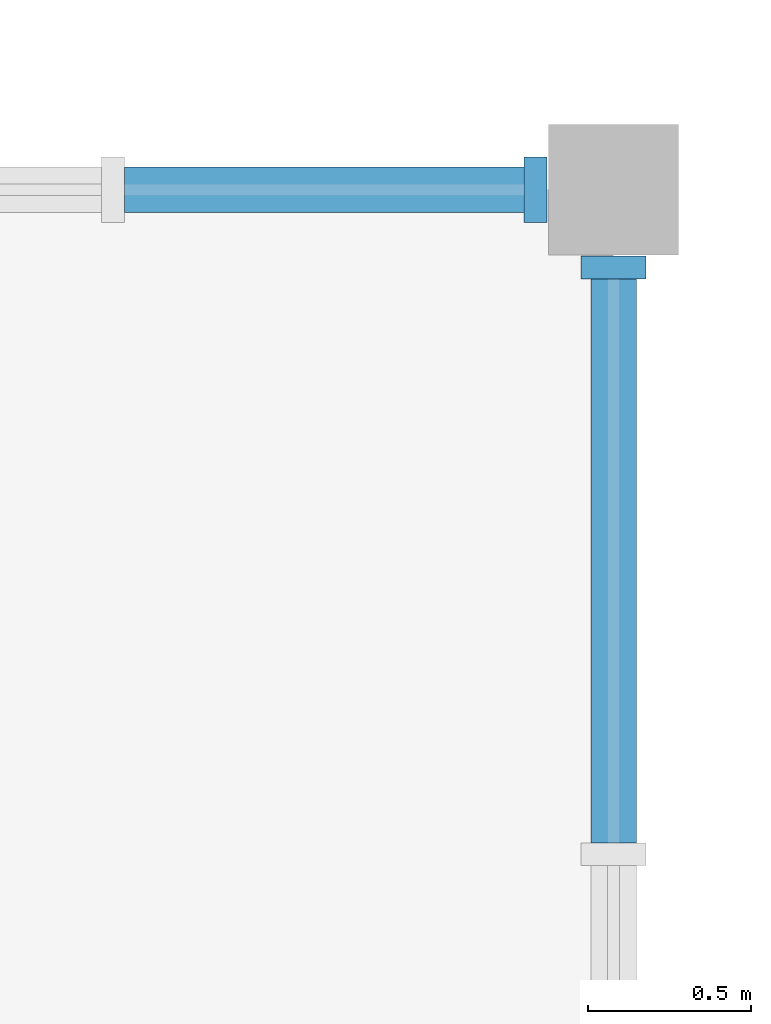
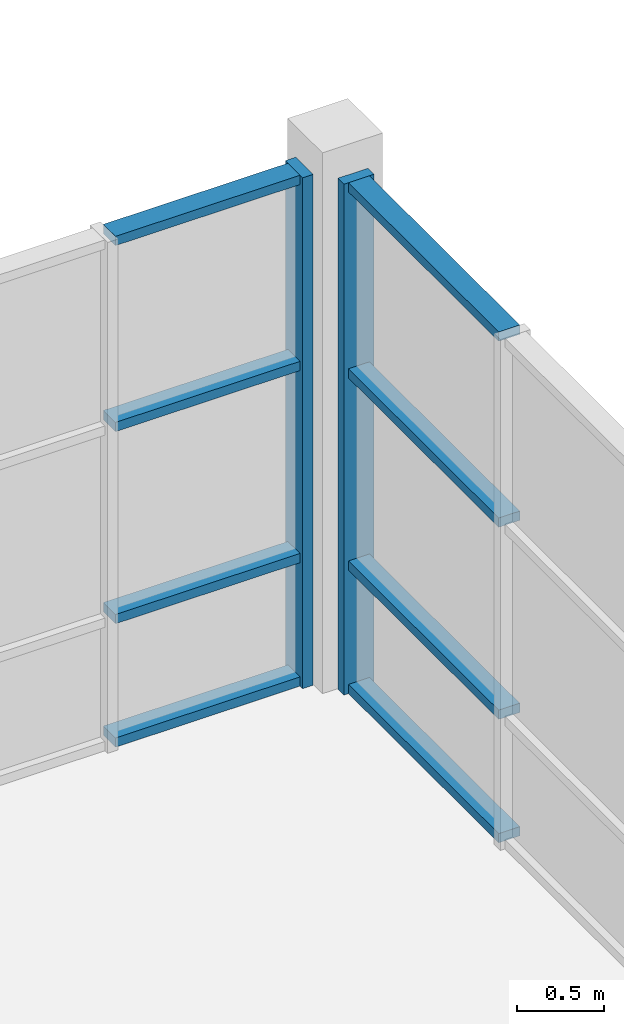
# One storey, part 7 of 45: 10 members, 2 elements without a shape of their own.
"""IFC4 building model written with IfcOpenShell, lengths in metres."""

from ifc_helpers import new_model, si_unit, direction, frame, origin, origin_2d, place, context, subcontext, project, spatial, rectangle, extrude, material, layer, layer_set, material_profile, profile_set, type_object, element, aggregate, save


model = new_model("IFC4")

# Units and contexts
model_context = context("Model", 3, precision=1e-05, world=origin(), true_north=direction((0.0, 1.0)))
body_context = subcontext(model_context, "Body", "Model", "MODEL_VIEW")
ifc_project = project(units=[si_unit("LENGTHUNIT", "METRE"), si_unit("AREAUNIT", "SQUARE_METRE"), si_unit("VOLUMEUNIT", "CUBIC_METRE"), si_unit("PLANEANGLEUNIT", "RADIAN"), si_unit("MASSUNIT", "GRAM", prefix="KILO")], contexts=[model_context])

# Site, building, storey
site_placement = place(None, origin())
site = spatial("IfcSite", under=ifc_project, at=site_placement, CompositionType="ELEMENT")
building_placement = place(site_placement, origin())
building = spatial("IfcBuilding", under=site, at=building_placement, Name="Marnridge Secondary College", CompositionType="ELEMENT")
storey_placement = place(building_placement, frame((0.0, 0.0, 12.300048828125)))
storey = spatial("IfcBuildingStorey", under=building, at=storey_placement, Name="L03", CompositionType="ELEMENT", Elevation=12.300048828125)

# Curtain wall, member
ifc_material_1 = material(Name="Bronze-anodised aluminium and solar-control glazing", Category="aluminium")
ifc_layer = layer(ifc_material_1, 0.199951171875)
ifc_layer_set = layer_set([ifc_layer], Name="CW-MOD-1800")
curtain_wall_type = type_object("IfcCurtainWallType", Name="CW-MOD-1800", PredefinedType="NOTDEFINED", material=ifc_layer_set)
curtain_wall_1_placement = place(storey_placement, origin())
curtain_wall_1 = element("IfcCurtainWall", 1, at=curtain_wall_1_placement, inside=storey, type_object=curtain_wall_type, Name="Unitised curtain wall CW-L03-129", PredefinedType="NOTDEFINED")
ifc_material_2 = material(Name="Bronze-anodised aluminium 6063-T6", Category="aluminium")
ifc_material_profile_1 = material_profile(ifc_material_2, rectangle(XDim=0.070068359375, YDim=0.199951171875, at=origin_2d()), Name="ALU 70x200")
ifc_profile_set_1 = profile_set([ifc_material_profile_1], Name="Bronze-anodised aluminium 6063-T6")
member_type_1 = type_object("IfcMemberType", Name="CWM-ALU200", PredefinedType="MULLION", material=ifc_profile_set_1)
member_1_placement = place(storey_placement, frame((44.760986328125, 30.0, 0.0), z_axis=(0.0, 0.0, 1.0), x_axis=(1.0, 0.0, 0.0)))
member_1 = element("IfcMember", 2, at=member_1_placement, type_object=member_type_1, Name="CW-L03-129 mullion 6", PredefinedType="MULLION", context=body_context, shape_type="SweptSolid", body=[
    extrude(rectangle(XDim=0.070068359375, YDim=0.199951171875, at=origin_2d()), origin(), (0.0, 0.0, 1.0), 3.58984375),
])

curtain_wall_2_placement = place(storey_placement, origin())
curtain_wall_2 = element("IfcCurtainWall", 3, at=curtain_wall_2_placement, inside=storey, type_object=curtain_wall_type, Name="Unitised curtain wall CW-L03-130", PredefinedType="NOTDEFINED")
member_2_placement = place(storey_placement, frame((45.0, 29.760986328125, 0.0), z_axis=(0.0, 0.0, 1.0), x_axis=(0.0, -1.0, 0.0)))
member_2 = element("IfcMember", 4, at=member_2_placement, type_object=member_type_1, Name="CW-L03-130 mullion 1", PredefinedType="MULLION", context=body_context, shape_type="SweptSolid", body=[
    extrude(rectangle(XDim=0.070068359375, YDim=0.199951171875, at=origin_2d()), origin(), (0.0, 0.0, 1.0), 3.58984375),
])

# Member
ifc_material_3 = material(Name="Anodised aluminium 6063-T6", Category="aluminium")
ifc_material_profile_2 = material_profile(ifc_material_3, rectangle(XDim=0.06494140625, YDim=0.139892578125, at=origin_2d()), Name="ALU 65x140")
ifc_profile_set_2 = profile_set([ifc_material_profile_2], Name="Anodised aluminium 6063-T6")
member_type_2 = type_object("IfcMemberType", Name="CWT-ALU140", PredefinedType="USERDEFINED", material=ifc_profile_set_2)
member_3_placement = place(storey_placement, frame((43.4990234375, 30.0, 0.032470703125), z_axis=(1.0, 0.0, 0.0), x_axis=(0.0, 0.0, 1.0)))
member_3 = element("IfcMember", 5, at=member_3_placement, type_object=member_type_2, Name="CW-L03-129 transom 5.1", ObjectType="TRANSOM", PredefinedType="USERDEFINED", context=body_context, shape_type="SweptSolid", body=[
    extrude(rectangle(XDim=0.06494140625, YDim=0.139892578125, at=origin_2d()), origin(), (0.0, 0.0, 1.0), 1.22705078125),
])

member_4_placement = place(storey_placement, frame((43.4990234375, 30.0, 0.89990234375), z_axis=(1.0, 0.0, 0.0), x_axis=(0.0, 0.0, 1.0)))
member_4 = element("IfcMember", 6, at=member_4_placement, type_object=member_type_2, Name="CW-L03-129 transom 5.2", ObjectType="TRANSOM", PredefinedType="USERDEFINED", context=body_context, shape_type="SweptSolid", body=[
    extrude(rectangle(XDim=0.06494140625, YDim=0.139892578125, at=origin_2d()), origin(), (0.0, 0.0, 1.0), 1.22705078125),
])

member_5_placement = place(storey_placement, frame((43.4990234375, 30.0, 2.25), z_axis=(1.0, 0.0, 0.0), x_axis=(0.0, 0.0, 1.0)))
member_5 = element("IfcMember", 7, at=member_5_placement, type_object=member_type_2, Name="CW-L03-129 transom 5.3", ObjectType="TRANSOM", PredefinedType="USERDEFINED", context=body_context, shape_type="SweptSolid", body=[
    extrude(rectangle(XDim=0.06494140625, YDim=0.139892578125, at=origin_2d()), origin(), (0.0, 0.0, 1.0), 1.22705078125),
])

member_6_placement = place(storey_placement, frame((43.4990234375, 30.0, 3.557373046875), z_axis=(1.0, 0.0, 0.0), x_axis=(0.0, 0.0, 1.0)))
member_6 = element("IfcMember", 8, at=member_6_placement, type_object=member_type_2, Name="CW-L03-129 transom 5.4", ObjectType="TRANSOM", PredefinedType="USERDEFINED", context=body_context, shape_type="SweptSolid", body=[
    extrude(rectangle(XDim=0.06494140625, YDim=0.139892578125, at=origin_2d()), origin(), (0.0, 0.0, 1.0), 1.22705078125),
])

aggregate(curtain_wall_1, [member_1, member_3, member_4, member_5, member_6])

member_7_placement = place(storey_placement, frame((45.0, 29.72607421875, 0.032470703125), z_axis=(0.0, -1.0, 0.0), x_axis=(0.0, 0.0, 1.0)))
member_7 = element("IfcMember", 9, at=member_7_placement, type_object=member_type_2, Name="CW-L03-130 transom 1.1", ObjectType="TRANSOM", PredefinedType="USERDEFINED", context=body_context, shape_type="SweptSolid", body=[
    extrude(rectangle(XDim=0.06494140625, YDim=0.139892578125, at=origin_2d()), origin(), (0.0, 0.0, 1.0), 1.72998046875),
])

member_8_placement = place(storey_placement, frame((45.0, 29.72607421875, 0.89990234375), z_axis=(0.0, -1.0, 0.0), x_axis=(0.0, 0.0, 1.0)))
member_8 = element("IfcMember", 10, at=member_8_placement, type_object=member_type_2, Name="CW-L03-130 transom 1.2", ObjectType="TRANSOM", PredefinedType="USERDEFINED", context=body_context, shape_type="SweptSolid", body=[
    extrude(rectangle(XDim=0.06494140625, YDim=0.139892578125, at=origin_2d()), origin(), (0.0, 0.0, 1.0), 1.72998046875),
])

member_9_placement = place(storey_placement, frame((45.0, 29.72607421875, 2.25), z_axis=(0.0, -1.0, 0.0), x_axis=(0.0, 0.0, 1.0)))
member_9 = element("IfcMember", 11, at=member_9_placement, type_object=member_type_2, Name="CW-L03-130 transom 1.3", ObjectType="TRANSOM", PredefinedType="USERDEFINED", context=body_context, shape_type="SweptSolid", body=[
    extrude(rectangle(XDim=0.06494140625, YDim=0.139892578125, at=origin_2d()), origin(), (0.0, 0.0, 1.0), 1.72998046875),
])

member_10_placement = place(storey_placement, frame((45.0, 29.72607421875, 3.557373046875), z_axis=(0.0, -1.0, 0.0), x_axis=(0.0, 0.0, 1.0)))
member_10 = element("IfcMember", 12, at=member_10_placement, type_object=member_type_2, Name="CW-L03-130 transom 1.4", ObjectType="TRANSOM", PredefinedType="USERDEFINED", context=body_context, shape_type="SweptSolid", body=[
    extrude(rectangle(XDim=0.06494140625, YDim=0.139892578125, at=origin_2d()), origin(), (0.0, 0.0, 1.0), 1.72998046875),
])

aggregate(curtain_wall_2, [member_2, member_7, member_8, member_9, member_10])

save(model, "model.ifc")
